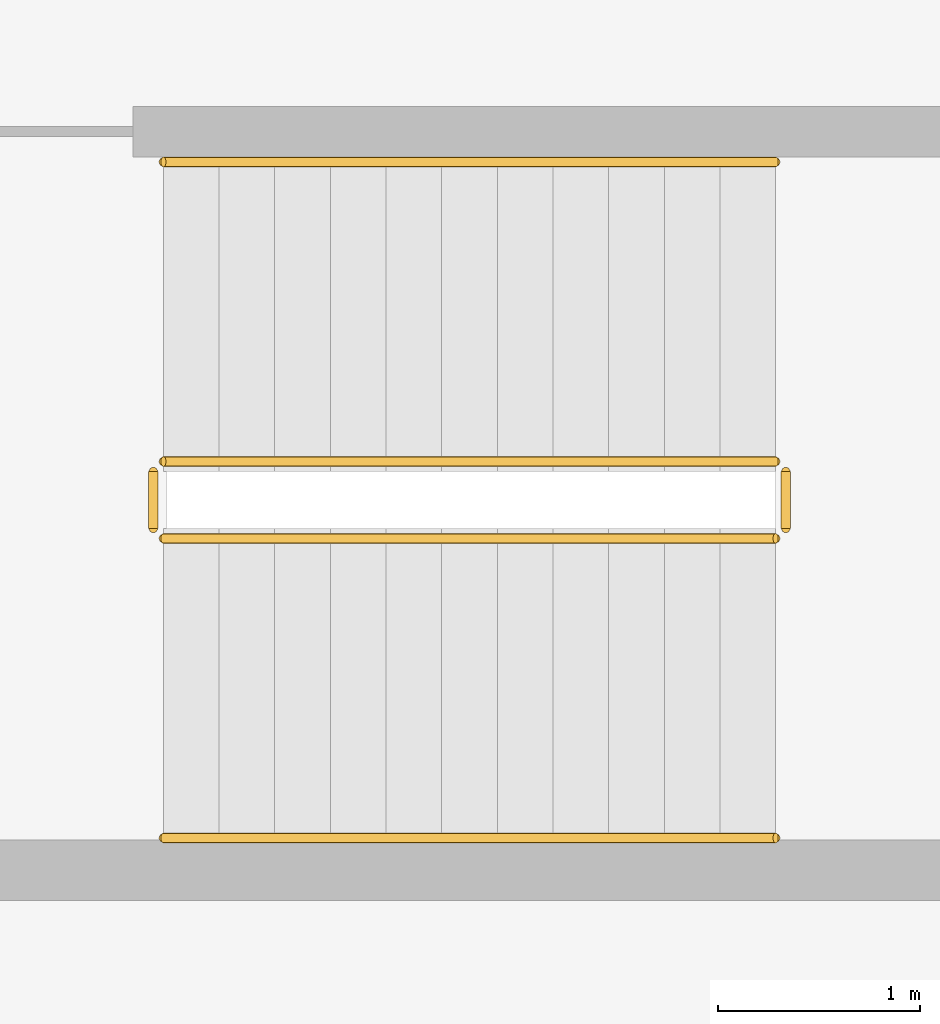
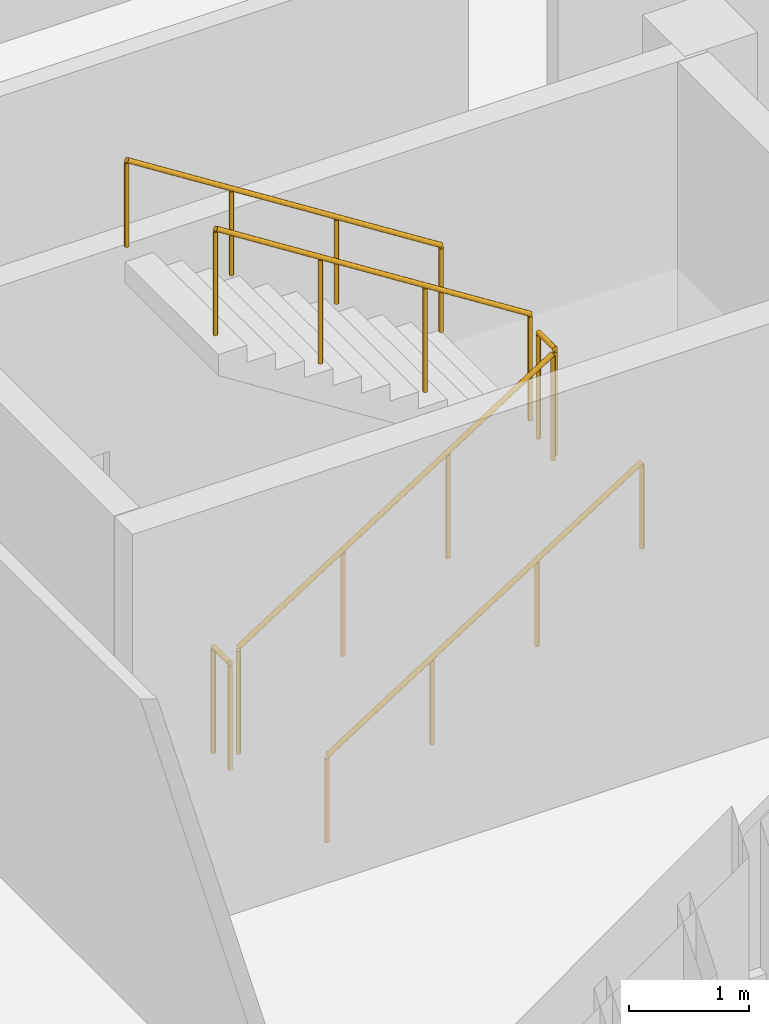
# One storey, part 134 of 137: 6 railings.
"""IFC4 building model written with IfcOpenShell, lengths in metres."""

from ifc_helpers import new_model, si_unit, direction, frame, origin, origin_2d, place, context, subcontext, project, spatial, circle, extrude, material, type_object, element, save


model = new_model("IFC4")

# Units and contexts
model_context = context("Model", 3, precision=1e-05, world=origin(), true_north=direction((0.0, 1.0)))
body_context = subcontext(model_context, "Body", "Model", "MODEL_VIEW")
ifc_project = project(units=[si_unit("LENGTHUNIT", "METRE"), si_unit("AREAUNIT", "SQUARE_METRE"), si_unit("VOLUMEUNIT", "CUBIC_METRE"), si_unit("PLANEANGLEUNIT", "RADIAN"), si_unit("MASSUNIT", "GRAM", prefix="KILO")], contexts=[model_context])

# Site, building, storey
site_placement = place(None, origin())
site = spatial("IfcSite", under=ifc_project, at=site_placement, CompositionType="ELEMENT")
building_placement = place(site_placement, origin())
building = spatial("IfcBuilding", under=site, at=building_placement, Name="Jelvoka-Kovrelna Polytechnic", CompositionType="ELEMENT")
storey_placement = place(building_placement, frame((0.0, 0.0, 9.60009765625)))
storey = spatial("IfcBuildingStorey", under=building, at=storey_placement, Name="L03", CompositionType="ELEMENT", Elevation=9.60009765625)

# Railings
ifc_material_1 = material(Name="Powder-coated steel stair guard", Category="steel")
railing_type_1 = type_object("IfcRailingType", Name="Railing_Stair_Guard_1100", PredefinedType="GUARDRAIL", material=ifc_material_1)
railing_1_placement = place(storey_placement, frame((122.25, 61.72998046875, 0.1748046875)))
element("IfcRailing", 1, at=railing_1_placement, inside=storey, type_object=railing_type_1, Name="L03 ST11 stair guard 1", PredefinedType="GUARDRAIL", context=body_context, shape_type="SweptSolid", body=[
    extrude(circle(Radius=0.02392578125, at=origin_2d()), frame((0.0, 0.0, 1.076171875), z_axis=(0.84364746871, 0.0, 0.536897521451), x_axis=(0.0, 1.0, 0.0)), (0.0, 0.0, 1.0), 3.58544921875),
    extrude(circle(Radius=0.02099609375, at=origin_2d()), origin(), (0.0, 0.0, 1.0), 1.052001953125),
    extrude(circle(Radius=0.02099609375, at=origin_2d()), frame((1.00830078125, 0.0, 0.6416015625)), (0.0, 0.0, 1.0), 1.052001953125),
    extrude(circle(Radius=0.02099609375, at=origin_2d()), frame((2.0166015625, 0.0, 1.283447265625)), (0.0, 0.0, 1.0), 1.052001953125),
    extrude(circle(Radius=0.02099609375, at=origin_2d()), frame((3.02490234375, 0.0, 1.925048828125)), (0.0, 0.0, 1.0), 1.052001953125),
])
railing_2_placement = place(storey_placement, frame((125.324951171875, 61.780029296875, 2.099853515625)))
element("IfcRailing", 2, at=railing_2_placement, inside=storey, type_object=railing_type_1, Name="L03 ST11 stair guard 2", PredefinedType="GUARDRAIL", context=body_context, shape_type="SweptSolid", body=[
    extrude(circle(Radius=0.02392578125, at=origin_2d()), frame((0.0, 0.0, 1.076171875), z_axis=(0.0, 1.0, 0.0), x_axis=(-1.0, 0.0, 0.0)), (0.0, 0.0, 1.0), 0.280029296875),
    extrude(circle(Radius=0.02099609375, at=origin_2d()), origin(), (0.0, 0.0, 1.0), 1.052001953125),
    extrude(circle(Radius=0.02099609375, at=origin_2d()), frame((0.0, 0.280029296875, 0.0)), (0.0, 0.0, 1.0), 1.052001953125),
])
railing_3_placement = place(storey_placement, frame((125.27490234375, 62.110107421875, 2.27490234375)))
element("IfcRailing", 3, at=railing_3_placement, inside=storey, type_object=railing_type_1, Name="L03 ST11 stair guard 3", PredefinedType="GUARDRAIL", context=body_context, shape_type="SweptSolid", body=[
    extrude(circle(Radius=0.02392578125, at=origin_2d()), frame((0.0, 0.0, 1.076171875), z_axis=(-0.84364746871, 0.0, 0.536897521451), x_axis=(0.0, -1.0, 0.0)), (0.0, 0.0, 1.0), 3.58544921875),
    extrude(circle(Radius=0.02099609375, at=origin_2d()), origin(), (0.0, 0.0, 1.0), 1.052001953125),
    extrude(circle(Radius=0.02099609375, at=origin_2d()), frame((-1.00830078125, 0.0, 0.6416015625)), (0.0, 0.0, 1.0), 1.052001953125),
    extrude(circle(Radius=0.02099609375, at=origin_2d()), frame((-2.0166015625, 0.0, 1.283447265625)), (0.0, 0.0, 1.0), 1.052001953125),
    extrude(circle(Radius=0.02099609375, at=origin_2d()), frame((-3.02490234375, 0.0, 1.925048828125)), (0.0, 0.0, 1.0), 1.052001953125),
])
railing_4_placement = place(storey_placement, frame((122.199951171875, 61.780029296875, 0.0)))
element("IfcRailing", 4, at=railing_4_placement, inside=storey, type_object=railing_type_1, Name="L03 ST11 stair guard 4", PredefinedType="GUARDRAIL", context=body_context, shape_type="SweptSolid", body=[
    extrude(circle(Radius=0.02392578125, at=origin_2d()), frame((0.0, 0.0, 1.076171875), z_axis=(0.0, 1.0, 0.0), x_axis=(-1.0, 0.0, 0.0)), (0.0, 0.0, 1.0), 0.280029296875),
    extrude(circle(Radius=0.02099609375, at=origin_2d()), origin(), (0.0, 0.0, 1.0), 1.052001953125),
    extrude(circle(Radius=0.02099609375, at=origin_2d()), frame((0.0, 0.280029296875, 0.0)), (0.0, 0.0, 1.0), 1.052001953125),
])
ifc_material_2 = material(Name="Brushed stainless steel handrail", Category="steel")
railing_type_2 = type_object("IfcRailingType", Name="Railing_Stair_Handrail_900", PredefinedType="HANDRAIL", material=ifc_material_2)
railing_5_placement = place(storey_placement, frame((122.25, 60.25, 0.1748046875)))
element("IfcRailing", 5, at=railing_5_placement, inside=storey, type_object=railing_type_2, Name="L03 ST11 stair handrail 1", PredefinedType="HANDRAIL", context=body_context, shape_type="SweptSolid", body=[
    extrude(circle(Radius=0.02392578125, at=origin_2d()), frame((0.0, 0.0, 0.8759765625), z_axis=(0.84364746871, 0.0, 0.536897521451), x_axis=(0.0, 1.0, 0.0)), (0.0, 0.0, 1.0), 3.58544921875),
    extrude(circle(Radius=0.02099609375, at=origin_2d()), origin(), (0.0, 0.0, 1.0), 0.851806640625),
    extrude(circle(Radius=0.02099609375, at=origin_2d()), frame((1.00830078125, 0.0, 0.6416015625)), (0.0, 0.0, 1.0), 0.851806640625),
    extrude(circle(Radius=0.02099609375, at=origin_2d()), frame((2.0166015625, 0.0, 1.283447265625)), (0.0, 0.0, 1.0), 0.851806640625),
    extrude(circle(Radius=0.02099609375, at=origin_2d()), frame((3.02490234375, 0.0, 1.925048828125)), (0.0, 0.0, 1.0), 0.851806640625),
])
railing_6_placement = place(storey_placement, frame((125.27490234375, 63.590087890625, 2.27490234375)))
element("IfcRailing", 6, at=railing_6_placement, inside=storey, type_object=railing_type_2, Name="L03 ST11 stair handrail 2", PredefinedType="HANDRAIL", context=body_context, shape_type="SweptSolid", body=[
    extrude(circle(Radius=0.02392578125, at=origin_2d()), frame((0.0, 0.0, 0.8759765625), z_axis=(-0.84364746871, 0.0, 0.536897521451), x_axis=(0.0, -1.0, 0.0)), (0.0, 0.0, 1.0), 3.58544921875),
    extrude(circle(Radius=0.02099609375, at=origin_2d()), origin(), (0.0, 0.0, 1.0), 0.851806640625),
    extrude(circle(Radius=0.02099609375, at=origin_2d()), frame((-1.00830078125, 0.0, 0.6416015625)), (0.0, 0.0, 1.0), 0.851806640625),
    extrude(circle(Radius=0.02099609375, at=origin_2d()), frame((-2.0166015625, 0.0, 1.283447265625)), (0.0, 0.0, 1.0), 0.851806640625),
    extrude(circle(Radius=0.02099609375, at=origin_2d()), frame((-3.02490234375, 0.0, 1.925048828125)), (0.0, 0.0, 1.0), 0.851806640625),
])

save(model, "model.ifc")
